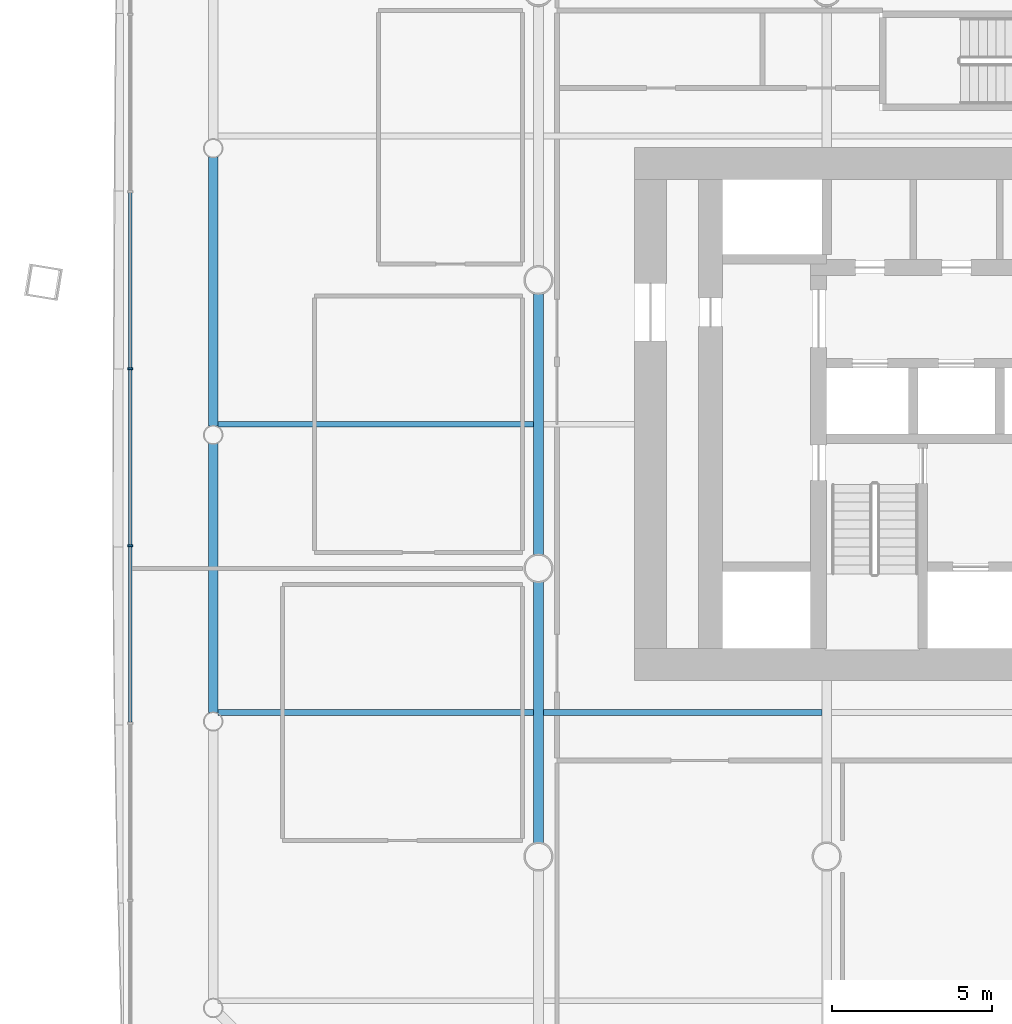
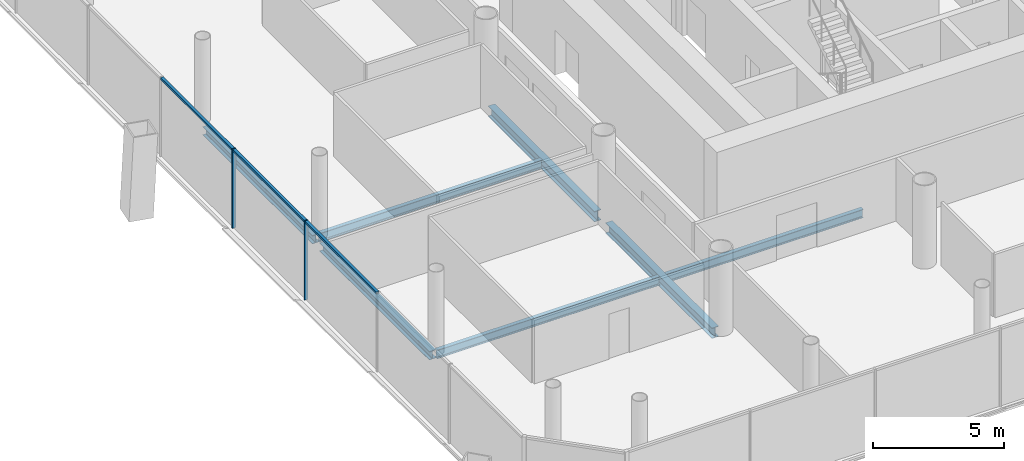
# One storey, part 4 of 22: 7 beams, 5 members, 1 element without a shape of its own.
"""IFC4 building model written with IfcOpenShell, lengths in metres."""

import ifcopenshell
import ifcopenshell.guid

model = None  # the IFC model being written
_history = None  # IfcOwnerHistory: only IFC2X3 demands one
_inside = {}  # id of a spatial element -> (the spatial element, [elements in it])
_under = {}  # id of a project, library or spatial element -> (it, [spatial elements below it])
_declared = {}  # id of a project -> (the project, [libraries it declares])
_typed = {}  # id of a type object -> (the type object, [elements of that type])
_made_of = {}  # id of a material, layer set ... -> (it, [elements and type objects made of it])


def new_model(schema):
    """Start an empty IFC model of exactly this schema.

    Asked for "IFC4X3", IfcOpenShell would pick the latest addendum, in which some entities
    have other attributes; the version numbers below select the first issue.
    IFC2X3 requires an IfcOwnerHistory on every rooted entity: one is made here for all.
    """
    global model, _history
    if schema == "IFC4X3":
        model = ifcopenshell.file(schema_version=(4, 3, 0, 0))
    else:
        model = ifcopenshell.file(schema=schema)
    _inside.clear()
    _under.clear()
    _declared.clear()
    _typed.clear()
    _made_of.clear()
    _history = None
    if model.schema == "IFC2X3":
        org = make("IfcOrganization", Name="unknown")
        user = make(
            "IfcPersonAndOrganization",
            ThePerson=make("IfcPerson", FamilyName="unknown"),
            TheOrganization=org,
        )
        app = make(
            "IfcApplication",
            ApplicationDeveloper=org,
            Version="unknown",
            ApplicationFullName="unknown",
            ApplicationIdentifier="unknown",
        )
        _history = make(
            "IfcOwnerHistory",
            OwningUser=user,
            OwningApplication=app,
            ChangeAction="ADDED",
            CreationDate=0,
        )
    return model


def make(cls, **values):
    """One entity of the class cls with the attributes given. An attribute that is None is left unset."""
    return model.create_entity(
        cls, **{name: value for name, value in values.items() if value is not None}
    )


def rooted(cls, **values):
    """An entity with a GlobalId (a new one), such as an element, a storey or a relation."""
    return make(cls, GlobalId=ifcopenshell.guid.new(), OwnerHistory=_history, **values)


def si_unit(unit_type, name, prefix=None):
    """IfcSIUnit, for example si_unit("LENGTHUNIT", "METRE", prefix="MILLI")."""
    return make("IfcSIUnit", UnitType=unit_type, Prefix=prefix, Name=name)


def assignment(units):
    """IfcUnitAssignment: the units of a project."""
    return None if units is None else make("IfcUnitAssignment", Units=units)


def point(xyz):
    """IfcCartesianPoint."""
    return None if xyz is None else make("IfcCartesianPoint", Coordinates=xyz)


def direction(xyz):
    """IfcDirection."""
    return None if xyz is None else make("IfcDirection", DirectionRatios=xyz)


def frame(location, z_axis=None, x_axis=None):
    """IfcAxis2Placement3D, a coordinate frame: its origin and axes. An axis left out is left unset."""
    return make(
        "IfcAxis2Placement3D",
        Location=point(location),
        Axis=direction(z_axis),
        RefDirection=direction(x_axis),
    )


def frame_2d(location, x_axis=None):
    """IfcAxis2Placement2D, a coordinate frame in the plane: its origin and x axis."""
    return make(
        "IfcAxis2Placement2D", Location=point(location), RefDirection=direction(x_axis)
    )


def origin():
    """The frame at (0, 0, 0) with its axes left unset."""
    return frame((0.0, 0.0, 0.0))


def origin_2d():
    """The frame at (0, 0) in the plane with its x axis left unset."""
    return frame_2d((0.0, 0.0))


def place(relative_to, where):
    """IfcLocalPlacement: puts the frame where relative to a parent placement (None: the world)."""
    return make(
        "IfcLocalPlacement", PlacementRelTo=relative_to, RelativePlacement=where
    )


def context(
    kind, dimensions, precision=None, world=None, true_north=None, identifier=None
):
    """IfcGeometricRepresentationContext, for example the 3D "Model" context."""
    return make(
        "IfcGeometricRepresentationContext",
        ContextIdentifier=identifier,
        ContextType=kind,
        CoordinateSpaceDimension=dimensions,
        Precision=precision,
        WorldCoordinateSystem=world,
        TrueNorth=true_north,
    )


def subcontext(parent, identifier, kind, view, scale=None):
    """IfcGeometricRepresentationSubContext, for example "Body" below "Model"."""
    return make(
        "IfcGeometricRepresentationSubContext",
        ContextIdentifier=identifier,
        ContextType=kind,
        ParentContext=parent,
        TargetScale=scale,
        TargetView=view,
    )


def project(units=None, contexts=None):
    """IfcProject with its units and contexts."""
    return rooted(
        "IfcProject",
        Name="project",
        RepresentationContexts=contexts,
        UnitsInContext=assignment(units),
    )


def spatial(cls, under=None, at=None, **own):
    """A site, building, storey or space (cls), placed at a placement, below another one or the project."""
    s = rooted(cls, ObjectPlacement=at, **own)
    if under is not None:
        _under.setdefault(under.id(), (under, []))[1].append(s)
    return s


def profile(cls, at=None, kind="AREA", **sizes):
    """A parametric profile (cls). Its sizes go by their IFC names, for example OverallWidth=200.0."""
    return make(cls, ProfileType=kind, Position=at, **sizes)


def rectangle(**sizes):
    """IfcRectangleProfileDef."""
    return profile("IfcRectangleProfileDef", **sizes)


def i_section(**sizes):
    """IfcIShapeProfileDef."""
    return profile("IfcIShapeProfileDef", **sizes)


def extrude(swept, where, along, depth):
    """IfcExtrudedAreaSolid: the profile swept, set in the frame where, extruded along a direction by depth."""
    return make(
        "IfcExtrudedAreaSolid",
        SweptArea=swept,
        Position=where,
        ExtrudedDirection=direction(along),
        Depth=depth,
    )


def shape(context_of_items, identifier, shape_type, items):
    """IfcShapeRepresentation: the items that make up one representation, for example the "Body"."""
    return make(
        "IfcShapeRepresentation",
        ContextOfItems=context_of_items,
        RepresentationIdentifier=identifier,
        RepresentationType=shape_type,
        Items=items,
    )


def material(Name=None, Category=None):
    """IfcMaterial."""
    return make("IfcMaterial", Name=Name, Category=Category)


def material_profile(
    of_material, cross_section, Name=None, Category=None, Priority=None
):
    """IfcMaterialProfile: a cross section and its material."""
    return make(
        "IfcMaterialProfile",
        Name=Name,
        Material=of_material,
        Profile=cross_section,
        Priority=Priority,
        Category=Category,
    )


def profile_set(profiles, Name=None, composite=None):
    """IfcMaterialProfileSet."""
    return make(
        "IfcMaterialProfileSet",
        Name=Name,
        MaterialProfiles=profiles,
        CompositeProfile=composite,
    )


def made_of(thing, what):
    """Note that an element or type object is made of a material, layer set ...; save() writes the relation."""
    if what is not None:
        _made_of.setdefault(what.id(), (what, []))[1].append(thing)
    return thing


def type_object(cls, material=None, **own):
    """A type object (cls), such as IfcWallType, which elements share."""
    return made_of(rooted(cls, **own), material)


def element(
    cls,
    number,
    at=None,
    inside=None,
    cuts=None,
    type_object=None,
    material=None,
    context=None,
    identifier="Body",
    shape_type=None,
    held_by="IfcProductDefinitionShape",
    body=None,
    shapes=None,
    **own,
):
    """One element of the class cls, such as IfcWall. Its Tag is "e" and its number.

    at: its placement. inside: the storey or other place that contains it. cuts: it is an
    opening in that element (IfcRelVoidsElement). A single representation is given by context,
    identifier, shape_type and body (its items); several are given by shapes. held_by: the class
    of the entity that holds the representations. save() writes the other relations.
    """
    e = rooted(cls, Tag="e%d" % number, ObjectPlacement=at, **own)
    if body is not None:
        shapes = [shape(context, identifier, shape_type, body)]
    if shapes is not None:
        e.Representation = make(held_by, Representations=shapes)
    if inside is not None:
        _inside.setdefault(inside.id(), (inside, []))[1].append(e)
    if cuts is not None:
        rooted(
            "IfcRelVoidsElement", RelatingBuildingElement=cuts, RelatedOpeningElement=e
        )
    if type_object is not None:
        _typed.setdefault(type_object.id(), (type_object, []))[1].append(e)
    return made_of(e, material)


def aggregate(whole, parts):
    """IfcRelAggregates: a whole, such as a stair, and the parts it consists of."""
    return rooted("IfcRelAggregates", RelatingObject=whole, RelatedObjects=parts)


def save(model, path):
    """Write the relations noted so far, then the file.

    IfcRelAggregates (storeys below a building ...), IfcRelContainedInSpatialStructure (elements
    in a storey), IfcRelDefinesByType, IfcRelAssociatesMaterial and IfcRelDeclares: one each for
    every whole, place, type object, material and project.
    """
    for whole, parts in _under.values():
        aggregate(whole, parts)
    for where, things in _inside.values():
        rooted(
            "IfcRelContainedInSpatialStructure",
            RelatedElements=things,
            RelatingStructure=where,
        )
    for kind, things in _typed.values():
        rooted("IfcRelDefinesByType", RelatedObjects=things, RelatingType=kind)
    for what, things in _made_of.values():
        rooted("IfcRelAssociatesMaterial", RelatedObjects=things, RelatingMaterial=what)
    for by, libraries in _declared.values():
        rooted("IfcRelDeclares", RelatingContext=by, RelatedDefinitions=libraries)
    model.write(path)


model = new_model("IFC4")

# Units and contexts
model_context = context("Model", 3, precision=1e-05, world=origin(), true_north=direction((0.0, 1.0)))
body_context = subcontext(model_context, "Body", "Model", "MODEL_VIEW")
ifc_project = project(units=[si_unit("LENGTHUNIT", "METRE"), si_unit("AREAUNIT", "SQUARE_METRE"), si_unit("VOLUMEUNIT", "CUBIC_METRE"), si_unit("PLANEANGLEUNIT", "RADIAN"), si_unit("MASSUNIT", "GRAM", prefix="KILO")], contexts=[model_context])

# Site, building, storey
site_placement = place(None, origin())
site = spatial("IfcSite", under=ifc_project, at=site_placement, CompositionType="ELEMENT")
building_placement = place(site_placement, origin())
building = spatial("IfcBuilding", under=site, at=building_placement, Name="Tskaro Facet Tower", CompositionType="ELEMENT")
storey_placement = place(building_placement, frame((0.0, 0.0, 18.60009765625)))
storey = spatial("IfcBuildingStorey", under=building, at=storey_placement, Name="L03", CompositionType="ELEMENT", Elevation=18.60009765625)

# Curtain wall, members
ifc_material_1 = material(Name="Bronze anodised aluminium 6063-T6", Category="aluminium")
curtain_wall_type = type_object("IfcCurtainWallType", Name="Bronze office curtain wall (FW1)", PredefinedType="NOTDEFINED", material=ifc_material_1)
curtain_wall_placement = place(storey_placement, origin())
curtain_wall = element("IfcCurtainWall", 1, at=curtain_wall_placement, inside=storey, type_object=curtain_wall_type, Name="FW1 west facet L03", PredefinedType="NOTDEFINED")
ifc_material_profile_1 = material_profile(ifc_material_1, rectangle(XDim=0.06005859375, YDim=0.159912109375, at=origin_2d()), Name="Mullion 60x160")
ifc_profile_set_1 = profile_set([ifc_material_profile_1], Name="Bronze anodised aluminium 6063-T6")
member_type_1 = type_object("IfcMemberType", Name="FW1 bronze mullion 60x160", PredefinedType="MULLION", material=ifc_profile_set_1)
member_1_placement = place(storey_placement, frame((-30.75, -2.76611328125, 0.0), z_axis=(0.0, 0.0, 1.0), x_axis=(0.0, -1.0, 0.0)))
member_1 = element("IfcMember", 2, at=member_1_placement, type_object=member_type_1, Name="FW1 west mullion 5", PredefinedType="MULLION", context=body_context, shape_type="SweptSolid", body=[
    extrude(rectangle(XDim=0.06005859375, YDim=0.159912109375, at=origin_2d()), origin(), (0.0, 0.0, 1.0), 3.699951171875),
])
member_2_placement = place(storey_placement, frame((-30.75, -8.298583984375, 0.0), z_axis=(0.0, 0.0, 1.0), x_axis=(0.0, -1.0, 0.0)))
member_2 = element("IfcMember", 3, at=member_2_placement, type_object=member_type_1, Name="FW1 west mullion 6", PredefinedType="MULLION", context=body_context, shape_type="SweptSolid", body=[
    extrude(rectangle(XDim=0.06005859375, YDim=0.159912109375, at=origin_2d()), origin(), (0.0, 0.0, 1.0), 3.699951171875),
])
ifc_material_profile_2 = material_profile(ifc_material_1, rectangle(XDim=0.1201171875, YDim=0.10009765625, at=origin_2d()), Name="Transom 120x100")
ifc_profile_set_2 = profile_set([ifc_material_profile_2], Name="Bronze anodised aluminium 6063-T6")
member_type_2 = type_object("IfcMemberType", Name="FW1 bronze transom 120x100", PredefinedType="USERDEFINED", material=ifc_profile_set_2)
member_3_placement = place(storey_placement, frame((-30.75, 2.736328125, 3.64990234375), z_axis=(0.0, -1.0, 0.0), x_axis=(1.0, 0.0, 0.0)))
member_3 = element("IfcMember", 4, at=member_3_placement, type_object=member_type_2, Name="FW1 west transom 5.1", ObjectType="TRANSOM", PredefinedType="USERDEFINED", context=body_context, shape_type="SweptSolid", body=[
    extrude(rectangle(XDim=0.1201171875, YDim=0.10009765625, at=origin_2d()), origin(), (0.0, 0.0, 1.0), 5.47265625),
])
member_4_placement = place(storey_placement, frame((-30.75, -2.796142578125, 3.64990234375), z_axis=(0.0, -1.0, 0.0), x_axis=(1.0, 0.0, 0.0)))
member_4 = element("IfcMember", 5, at=member_4_placement, type_object=member_type_2, Name="FW1 west transom 6.1", ObjectType="TRANSOM", PredefinedType="USERDEFINED", context=body_context, shape_type="SweptSolid", body=[
    extrude(rectangle(XDim=0.1201171875, YDim=0.10009765625, at=origin_2d()), origin(), (0.0, 0.0, 1.0), 5.472412109375),
])
member_5_placement = place(storey_placement, frame((-30.75, -8.32861328125, 3.64990234375), z_axis=(0.0, -1.0, 0.0), x_axis=(1.0, 0.0, 0.0)))
member_5 = element("IfcMember", 6, at=member_5_placement, type_object=member_type_2, Name="FW1 west transom 7.1", ObjectType="TRANSOM", PredefinedType="USERDEFINED", context=body_context, shape_type="SweptSolid", body=[
    extrude(rectangle(XDim=0.1201171875, YDim=0.10009765625, at=origin_2d()), origin(), (0.0, 0.0, 1.0), 5.472412109375),
])
aggregate(curtain_wall, [member_1, member_2, member_3, member_4, member_5])

# Beams
ifc_material_2 = material(Name="Steel S355J2", Category="steel")
ifc_material_profile_3 = material_profile(ifc_material_2, i_section(OverallWidth=0.300048828125, OverallDepth=0.39990234375, WebThickness=0.013427734375, FlangeThickness=0.02392578125, FilletRadius=0.027099609375, at=origin_2d()), Name="HE 400 B")
ifc_profile_set_3 = profile_set([ifc_material_profile_3], Name="Steel S355J2")
beam_type_1 = type_object("IfcBeamType", Name="HE 400 B ring beam", PredefinedType="BEAM", material=ifc_profile_set_3)
beam_1_placement = place(storey_placement, frame((-28.156982421875, 3.841064453125, -0.340087890625), z_axis=(0.0, -1.0, 0.0), x_axis=(1.0, 0.0, 0.0)))
element("IfcBeam", 7, at=beam_1_placement, inside=storey, type_object=beam_type_1, Name="HE 400 B EB22-1", PredefinedType="BEAM", context=body_context, shape_type="SweptSolid", body=[
    extrude(i_section(OverallWidth=0.300048828125, OverallDepth=0.39990234375, WebThickness=0.013427734375, FlangeThickness=0.02392578125, FilletRadius=0.027099609375, at=origin_2d()), origin(), (0.0, 0.0, 1.0), 8.399169921875),
])
beam_2_placement = place(storey_placement, frame((-28.156982421875, -5.10791015625, -0.340087890625), z_axis=(0.0, -1.0, 0.0), x_axis=(1.0, 0.0, 0.0)))
element("IfcBeam", 8, at=beam_2_placement, inside=storey, type_object=beam_type_1, Name="HE 400 B EB23-1", PredefinedType="BEAM", context=body_context, shape_type="SweptSolid", body=[
    extrude(i_section(OverallWidth=0.300048828125, OverallDepth=0.39990234375, WebThickness=0.013427734375, FlangeThickness=0.02392578125, FilletRadius=0.027099609375, at=origin_2d()), origin(), (0.0, 0.0, 1.0), 8.398193359375),
])
ifc_material_profile_4 = material_profile(ifc_material_2, i_section(OverallWidth=0.300048828125, OverallDepth=0.489990234375, WebThickness=0.011962890625, FlangeThickness=0.02294921875, FilletRadius=0.027099609375, at=origin_2d()), Name="HE 500 A")
ifc_profile_set_4 = profile_set([ifc_material_profile_4], Name="Steel S355J2")
beam_type_2 = type_object("IfcBeamType", Name="HE 500 A girder", PredefinedType="BEAM", material=ifc_profile_set_4)
for number, where, z_axis, x_axis, name in (
    (9, (-18.0, -17.57275390625, -0.385009765625), (0.0, 1.0, 0.0), (-1.0, 0.0, 0.0), "HE 500 A GB2-2-1"),
    (10, (-18.0, -8.57275390625, -0.385009765625), (0.0, 1.0, 0.0), (-1.0, 0.0, 0.0), "HE 500 A GB2-3-1"),
):
    element("IfcBeam", number, at=place(storey_placement, frame(where, z_axis=z_axis, x_axis=x_axis)), inside=storey, type_object=beam_type_2, Name=name, PredefinedType="BEAM", context=body_context, shape_type="SweptSolid", body=[
        extrude(i_section(OverallWidth=0.300048828125, OverallDepth=0.489990234375, WebThickness=0.011962890625, FlangeThickness=0.02294921875, FilletRadius=0.027099609375, at=origin_2d()), origin(), (0.0, 0.0, 1.0), 8.1455078125),
    ])
ifc_material_profile_5 = material_profile(ifc_material_2, i_section(OverallWidth=0.179931640625, OverallDepth=0.39990234375, WebThickness=0.008544921875, FlangeThickness=0.013427734375, FilletRadius=0.02099609375, at=origin_2d()), Name="IPE 400")
ifc_profile_set_5 = profile_set([ifc_material_profile_5], Name="Steel S355J2")
beam_type_3 = type_object("IfcBeamType", Name="IPE 400 secondary beam", PredefinedType="BEAM", material=ifc_profile_set_5)
beam_3_placement = place(storey_placement, frame((-28.007080078125, -13.5, -0.340087890625), z_axis=(1.0, 0.0, 0.0), x_axis=(0.0, 1.0, 0.0)))
element("IfcBeam", 11, at=beam_3_placement, inside=storey, type_object=beam_type_3, Name="IPE 400 SB2a-1-1", PredefinedType="BEAM", context=body_context, shape_type="SweptSolid", body=[
    extrude(i_section(OverallWidth=0.179931640625, OverallDepth=0.39990234375, WebThickness=0.008544921875, FlangeThickness=0.013427734375, FilletRadius=0.02099609375, at=origin_2d()), origin(), (0.0, 0.0, 1.0), 9.857177734375),
])
beam_4_placement = place(storey_placement, frame((-17.85009765625, -13.5, -0.340087890625), z_axis=(1.0, 0.0, 0.0), x_axis=(0.0, 1.0, 0.0)))
element("IfcBeam", 12, at=beam_4_placement, inside=storey, type_object=beam_type_3, Name="IPE 400 SB2a-2-1", PredefinedType="BEAM", context=body_context, shape_type="SweptSolid", body=[
    extrude(i_section(OverallWidth=0.179931640625, OverallDepth=0.39990234375, WebThickness=0.008544921875, FlangeThickness=0.013427734375, FilletRadius=0.02099609375, at=origin_2d()), origin(), (0.0, 0.0, 1.0), 8.7001953125),
])
beam_5_placement = place(storey_placement, frame((-28.007080078125, -4.5, -0.340087890625), z_axis=(1.0, 0.0, 0.0), x_axis=(0.0, 1.0, 0.0)))
element("IfcBeam", 13, at=beam_5_placement, inside=storey, type_object=beam_type_3, Name="IPE 400 SB3a-1-1", PredefinedType="BEAM", context=body_context, shape_type="SweptSolid", body=[
    extrude(i_section(OverallWidth=0.179931640625, OverallDepth=0.39990234375, WebThickness=0.008544921875, FlangeThickness=0.013427734375, FilletRadius=0.02099609375, at=origin_2d()), origin(), (0.0, 0.0, 1.0), 9.857177734375),
])

save(model, "model.ifc")
